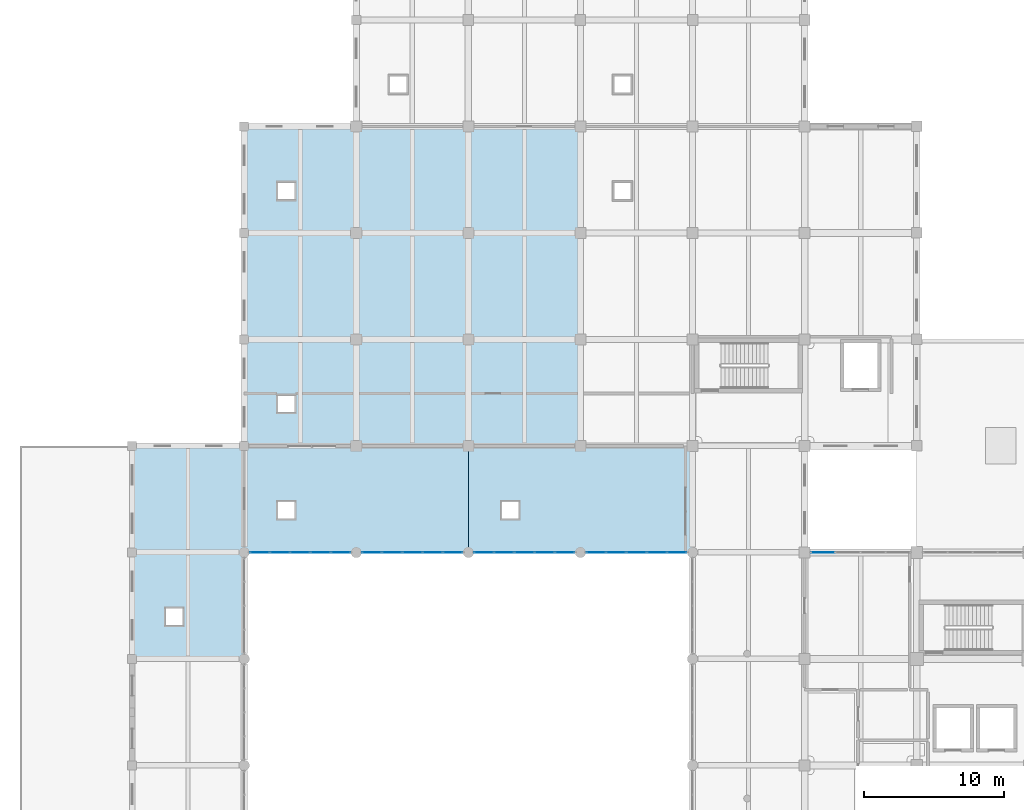
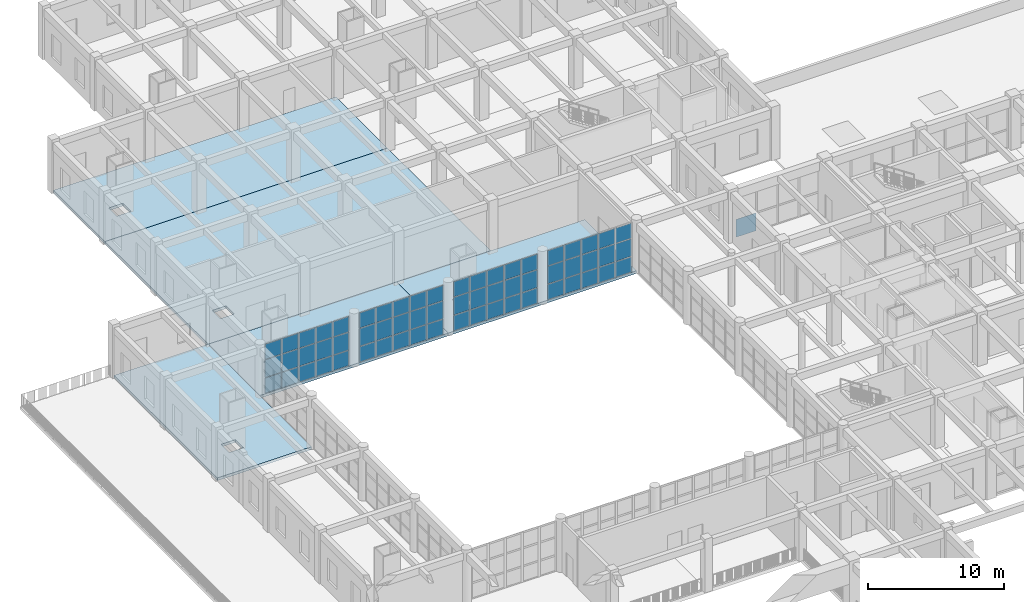
# One storey, part 66 of 101: 61 plates, 5 slabs, 5 elements without a shape of their own.
"""IFC4 building model written with IfcOpenShell, lengths in metres."""

from ifc_helpers import new_model, si_unit, direction, frame, origin, origin_2d, place, context, subcontext, project, spatial, polyline, rectangle, outline, extrude, material, layer, layer_set, type_object, element, aggregate, save


model = new_model("IFC4")

# Units and contexts
model_context = context("Model", 3, precision=1e-05, world=origin(), true_north=direction((0.0, 1.0)))
body_context = subcontext(model_context, "Body", "Model", "MODEL_VIEW")
ifc_project = project(units=[si_unit("LENGTHUNIT", "METRE"), si_unit("AREAUNIT", "SQUARE_METRE"), si_unit("VOLUMEUNIT", "CUBIC_METRE"), si_unit("PLANEANGLEUNIT", "RADIAN"), si_unit("MASSUNIT", "GRAM", prefix="KILO")], contexts=[model_context])

# Site, building, storey
site_placement = place(None, origin())
site = spatial("IfcSite", under=ifc_project, at=site_placement, CompositionType="ELEMENT")
building_placement = place(site_placement, origin())
building = spatial("IfcBuilding", under=site, at=building_placement, Name="Zantavel Square City Hall", CompositionType="ELEMENT")
storey_placement = place(building_placement, frame((0.0, 0.0, 5.39990234375)))
storey = spatial("IfcBuildingStorey", under=building, at=storey_placement, Name="L02", CompositionType="ELEMENT", Elevation=5.39990234375)

# Curtain wall, plates
ifc_material_1 = material(Name="Anodised aluminium 6063-T6", Category="aluminium")
curtain_wall_type_1 = type_object("IfcCurtainWallType", Name="Curtain Wall CRT 7250x4520", PredefinedType="USERDEFINED", material=ifc_material_1)
curtain_wall_1_placement = place(storey_placement, origin())
curtain_wall_1 = element("IfcCurtainWall", 1, at=curtain_wall_1_placement, inside=storey, type_object=curtain_wall_type_1, Name="L02 Glazed Curtain Wall CW-L02-067", ObjectType="GLAZED CURTAIN WALL", PredefinedType="USERDEFINED")
ifc_material_2 = material(Name="Tempered safety glass low-E double glazing", Category="glass")
ifc_layer_1 = layer(ifc_material_2, 0.028076171875, Name="Tempered safety glass low-E double glazing")
ifc_layer_set_1 = layer_set([ifc_layer_1], Name="Tempered safety glass low-E double glazing")
plate_type_1 = type_object("IfcPlateType", Name="Low-E Curtain Glazing Panel 1450x1507x28", PredefinedType="CURTAIN_PANEL", material=ifc_layer_set_1)
plate_1_placement = place(storey_placement, frame((30.885009765625, 68.39990234375, 0.06005859375), z_axis=(0.0, 0.0, 1.0), x_axis=(-1.0, 0.0, 0.0)))
plate_1 = element("IfcPlate", 2, at=plate_1_placement, type_object=plate_type_1, Name="CW-067 panel 1.1", PredefinedType="CURTAIN_PANEL", context=body_context, shape_type="SweptSolid", body=[
    extrude(rectangle(XDim=1.360107421875, YDim=0.028076171875, at=origin_2d()), origin(), (0.0, 0.0, 1.0), 1.35595703125),
])
plate_2_placement = place(storey_placement, frame((30.885009765625, 68.39990234375, 1.47607421875), z_axis=(0.0, 0.0, 1.0), x_axis=(-1.0, 0.0, 0.0)))
plate_2 = element("IfcPlate", 3, at=plate_2_placement, type_object=plate_type_1, Name="CW-067 panel 1.2", PredefinedType="CURTAIN_PANEL", context=body_context, shape_type="SweptSolid", body=[
    extrude(rectangle(XDim=1.360107421875, YDim=0.028076171875, at=origin_2d()), origin(), (0.0, 0.0, 1.0), 1.568115234375),
])
plate_3_placement = place(storey_placement, frame((30.885009765625, 68.39990234375, 3.10400390625), z_axis=(0.0, 0.0, 1.0), x_axis=(-1.0, 0.0, 0.0)))
plate_3 = element("IfcPlate", 4, at=plate_3_placement, type_object=plate_type_1, Name="CW-067 panel 1.3", PredefinedType="CURTAIN_PANEL", context=body_context, shape_type="SweptSolid", body=[
    extrude(rectangle(XDim=1.360107421875, YDim=0.028076171875, at=origin_2d()), origin(), (0.0, 0.0, 1.0), 1.35595703125),
])
plate_4_placement = place(storey_placement, frame((29.449951171875, 68.39990234375, 0.06005859375), z_axis=(0.0, 0.0, 1.0), x_axis=(-1.0, 0.0, 0.0)))
plate_4 = element("IfcPlate", 5, at=plate_4_placement, type_object=plate_type_1, Name="CW-067 panel 2.1", PredefinedType="CURTAIN_PANEL", context=body_context, shape_type="SweptSolid", body=[
    extrude(rectangle(XDim=1.389892578125, YDim=0.028076171875, at=origin_2d()), origin(), (0.0, 0.0, 1.0), 1.35595703125),
])
plate_5_placement = place(storey_placement, frame((29.449951171875, 68.39990234375, 1.47607421875), z_axis=(0.0, 0.0, 1.0), x_axis=(-1.0, 0.0, 0.0)))
plate_5 = element("IfcPlate", 6, at=plate_5_placement, type_object=plate_type_1, Name="CW-067 panel 2.2", PredefinedType="CURTAIN_PANEL", context=body_context, shape_type="SweptSolid", body=[
    extrude(rectangle(XDim=1.389892578125, YDim=0.028076171875, at=origin_2d()), origin(), (0.0, 0.0, 1.0), 1.568115234375),
])
plate_6_placement = place(storey_placement, frame((29.449951171875, 68.39990234375, 3.10400390625), z_axis=(0.0, 0.0, 1.0), x_axis=(-1.0, 0.0, 0.0)))
plate_6 = element("IfcPlate", 7, at=plate_6_placement, type_object=plate_type_1, Name="CW-067 panel 2.3", PredefinedType="CURTAIN_PANEL", context=body_context, shape_type="SweptSolid", body=[
    extrude(rectangle(XDim=1.389892578125, YDim=0.028076171875, at=origin_2d()), origin(), (0.0, 0.0, 1.0), 1.35595703125),
])
plate_7_placement = place(storey_placement, frame((28.0, 68.39990234375, 0.06005859375), z_axis=(0.0, 0.0, 1.0), x_axis=(-1.0, 0.0, 0.0)))
plate_7 = element("IfcPlate", 8, at=plate_7_placement, type_object=plate_type_1, Name="CW-067 panel 3.1", PredefinedType="CURTAIN_PANEL", context=body_context, shape_type="SweptSolid", body=[
    extrude(rectangle(XDim=1.389892578125, YDim=0.028076171875, at=origin_2d()), origin(), (0.0, 0.0, 1.0), 1.35595703125),
])
plate_8_placement = place(storey_placement, frame((28.0, 68.39990234375, 1.47607421875), z_axis=(0.0, 0.0, 1.0), x_axis=(-1.0, 0.0, 0.0)))
plate_8 = element("IfcPlate", 9, at=plate_8_placement, type_object=plate_type_1, Name="CW-067 panel 3.2", PredefinedType="CURTAIN_PANEL", context=body_context, shape_type="SweptSolid", body=[
    extrude(rectangle(XDim=1.389892578125, YDim=0.028076171875, at=origin_2d()), origin(), (0.0, 0.0, 1.0), 1.568115234375),
])
plate_9_placement = place(storey_placement, frame((28.0, 68.39990234375, 3.10400390625), z_axis=(0.0, 0.0, 1.0), x_axis=(-1.0, 0.0, 0.0)))
plate_9 = element("IfcPlate", 10, at=plate_9_placement, type_object=plate_type_1, Name="CW-067 panel 3.3", PredefinedType="CURTAIN_PANEL", context=body_context, shape_type="SweptSolid", body=[
    extrude(rectangle(XDim=1.389892578125, YDim=0.028076171875, at=origin_2d()), origin(), (0.0, 0.0, 1.0), 1.35595703125),
])
plate_10_placement = place(storey_placement, frame((26.550048828125, 68.39990234375, 0.06005859375), z_axis=(0.0, 0.0, 1.0), x_axis=(-1.0, 0.0, 0.0)))
plate_10 = element("IfcPlate", 11, at=plate_10_placement, type_object=plate_type_1, Name="CW-067 panel 4.1", PredefinedType="CURTAIN_PANEL", context=body_context, shape_type="SweptSolid", body=[
    extrude(rectangle(XDim=1.389892578125, YDim=0.028076171875, at=origin_2d()), origin(), (0.0, 0.0, 1.0), 1.35595703125),
])
plate_11_placement = place(storey_placement, frame((26.550048828125, 68.39990234375, 1.47607421875), z_axis=(0.0, 0.0, 1.0), x_axis=(-1.0, 0.0, 0.0)))
plate_11 = element("IfcPlate", 12, at=plate_11_placement, type_object=plate_type_1, Name="CW-067 panel 4.2", PredefinedType="CURTAIN_PANEL", context=body_context, shape_type="SweptSolid", body=[
    extrude(rectangle(XDim=1.389892578125, YDim=0.028076171875, at=origin_2d()), origin(), (0.0, 0.0, 1.0), 1.568115234375),
])
plate_12_placement = place(storey_placement, frame((26.550048828125, 68.39990234375, 3.10400390625), z_axis=(0.0, 0.0, 1.0), x_axis=(-1.0, 0.0, 0.0)))
plate_12 = element("IfcPlate", 13, at=plate_12_placement, type_object=plate_type_1, Name="CW-067 panel 4.3", PredefinedType="CURTAIN_PANEL", context=body_context, shape_type="SweptSolid", body=[
    extrude(rectangle(XDim=1.389892578125, YDim=0.028076171875, at=origin_2d()), origin(), (0.0, 0.0, 1.0), 1.35595703125),
])
plate_13_placement = place(storey_placement, frame((25.114990234375, 68.39990234375, 0.06005859375), z_axis=(0.0, 0.0, 1.0), x_axis=(-1.0, 0.0, 0.0)))
plate_13 = element("IfcPlate", 14, at=plate_13_placement, type_object=plate_type_1, Name="CW-067 panel 5.1", PredefinedType="CURTAIN_PANEL", context=body_context, shape_type="SweptSolid", body=[
    extrude(rectangle(XDim=1.360107421875, YDim=0.028076171875, at=origin_2d()), origin(), (0.0, 0.0, 1.0), 1.35595703125),
])
plate_14_placement = place(storey_placement, frame((25.114990234375, 68.39990234375, 1.47607421875), z_axis=(0.0, 0.0, 1.0), x_axis=(-1.0, 0.0, 0.0)))
plate_14 = element("IfcPlate", 15, at=plate_14_placement, type_object=plate_type_1, Name="CW-067 panel 5.2", PredefinedType="CURTAIN_PANEL", context=body_context, shape_type="SweptSolid", body=[
    extrude(rectangle(XDim=1.360107421875, YDim=0.028076171875, at=origin_2d()), origin(), (0.0, 0.0, 1.0), 1.568115234375),
])
plate_15_placement = place(storey_placement, frame((25.114990234375, 68.39990234375, 3.10400390625), z_axis=(0.0, 0.0, 1.0), x_axis=(-1.0, 0.0, 0.0)))
plate_15 = element("IfcPlate", 16, at=plate_15_placement, type_object=plate_type_1, Name="CW-067 panel 5.3", PredefinedType="CURTAIN_PANEL", context=body_context, shape_type="SweptSolid", body=[
    extrude(rectangle(XDim=1.360107421875, YDim=0.028076171875, at=origin_2d()), origin(), (0.0, 0.0, 1.0), 1.35595703125),
])
aggregate(curtain_wall_1, [plate_1, plate_2, plate_3, plate_4, plate_5, plate_6, plate_7, plate_8, plate_9, plate_10, plate_11, plate_12, plate_13, plate_14, plate_15])

curtain_wall_2_placement = place(storey_placement, origin())
curtain_wall_2 = element("IfcCurtainWall", 17, at=curtain_wall_2_placement, inside=storey, type_object=curtain_wall_type_1, Name="L02 Glazed Curtain Wall CW-L02-068", ObjectType="GLAZED CURTAIN WALL", PredefinedType="USERDEFINED")
plate_16_placement = place(storey_placement, frame((22.885009765625, 68.39990234375, 0.06005859375), z_axis=(0.0, 0.0, 1.0), x_axis=(-1.0, 0.0, 0.0)))
plate_16 = element("IfcPlate", 18, at=plate_16_placement, type_object=plate_type_1, Name="CW-068 panel 1.1", PredefinedType="CURTAIN_PANEL", context=body_context, shape_type="SweptSolid", body=[
    extrude(rectangle(XDim=1.360107421875, YDim=0.028076171875, at=origin_2d()), origin(), (0.0, 0.0, 1.0), 1.35595703125),
])
plate_17_placement = place(storey_placement, frame((22.885009765625, 68.39990234375, 1.47607421875), z_axis=(0.0, 0.0, 1.0), x_axis=(-1.0, 0.0, 0.0)))
plate_17 = element("IfcPlate", 19, at=plate_17_placement, type_object=plate_type_1, Name="CW-068 panel 1.2", PredefinedType="CURTAIN_PANEL", context=body_context, shape_type="SweptSolid", body=[
    extrude(rectangle(XDim=1.360107421875, YDim=0.028076171875, at=origin_2d()), origin(), (0.0, 0.0, 1.0), 1.568115234375),
])
plate_18_placement = place(storey_placement, frame((22.885009765625, 68.39990234375, 3.10400390625), z_axis=(0.0, 0.0, 1.0), x_axis=(-1.0, 0.0, 0.0)))
plate_18 = element("IfcPlate", 20, at=plate_18_placement, type_object=plate_type_1, Name="CW-068 panel 1.3", PredefinedType="CURTAIN_PANEL", context=body_context, shape_type="SweptSolid", body=[
    extrude(rectangle(XDim=1.360107421875, YDim=0.028076171875, at=origin_2d()), origin(), (0.0, 0.0, 1.0), 1.35595703125),
])
plate_19_placement = place(storey_placement, frame((21.449951171875, 68.39990234375, 0.06005859375), z_axis=(0.0, 0.0, 1.0), x_axis=(-1.0, 0.0, 0.0)))
plate_19 = element("IfcPlate", 21, at=plate_19_placement, type_object=plate_type_1, Name="CW-068 panel 2.1", PredefinedType="CURTAIN_PANEL", context=body_context, shape_type="SweptSolid", body=[
    extrude(rectangle(XDim=1.389892578125, YDim=0.028076171875, at=origin_2d()), origin(), (0.0, 0.0, 1.0), 1.35595703125),
])
plate_20_placement = place(storey_placement, frame((21.449951171875, 68.39990234375, 1.47607421875), z_axis=(0.0, 0.0, 1.0), x_axis=(-1.0, 0.0, 0.0)))
plate_20 = element("IfcPlate", 22, at=plate_20_placement, type_object=plate_type_1, Name="CW-068 panel 2.2", PredefinedType="CURTAIN_PANEL", context=body_context, shape_type="SweptSolid", body=[
    extrude(rectangle(XDim=1.389892578125, YDim=0.028076171875, at=origin_2d()), origin(), (0.0, 0.0, 1.0), 1.568115234375),
])
plate_21_placement = place(storey_placement, frame((21.449951171875, 68.39990234375, 3.10400390625), z_axis=(0.0, 0.0, 1.0), x_axis=(-1.0, 0.0, 0.0)))
plate_21 = element("IfcPlate", 23, at=plate_21_placement, type_object=plate_type_1, Name="CW-068 panel 2.3", PredefinedType="CURTAIN_PANEL", context=body_context, shape_type="SweptSolid", body=[
    extrude(rectangle(XDim=1.389892578125, YDim=0.028076171875, at=origin_2d()), origin(), (0.0, 0.0, 1.0), 1.35595703125),
])
plate_22_placement = place(storey_placement, frame((20.0, 68.39990234375, 0.06005859375), z_axis=(0.0, 0.0, 1.0), x_axis=(-1.0, 0.0, 0.0)))
plate_22 = element("IfcPlate", 24, at=plate_22_placement, type_object=plate_type_1, Name="CW-068 panel 3.1", PredefinedType="CURTAIN_PANEL", context=body_context, shape_type="SweptSolid", body=[
    extrude(rectangle(XDim=1.389892578125, YDim=0.028076171875, at=origin_2d()), origin(), (0.0, 0.0, 1.0), 1.35595703125),
])
plate_23_placement = place(storey_placement, frame((20.0, 68.39990234375, 1.47607421875), z_axis=(0.0, 0.0, 1.0), x_axis=(-1.0, 0.0, 0.0)))
plate_23 = element("IfcPlate", 25, at=plate_23_placement, type_object=plate_type_1, Name="CW-068 panel 3.2", PredefinedType="CURTAIN_PANEL", context=body_context, shape_type="SweptSolid", body=[
    extrude(rectangle(XDim=1.389892578125, YDim=0.028076171875, at=origin_2d()), origin(), (0.0, 0.0, 1.0), 1.568115234375),
])
plate_24_placement = place(storey_placement, frame((20.0, 68.39990234375, 3.10400390625), z_axis=(0.0, 0.0, 1.0), x_axis=(-1.0, 0.0, 0.0)))
plate_24 = element("IfcPlate", 26, at=plate_24_placement, type_object=plate_type_1, Name="CW-068 panel 3.3", PredefinedType="CURTAIN_PANEL", context=body_context, shape_type="SweptSolid", body=[
    extrude(rectangle(XDim=1.389892578125, YDim=0.028076171875, at=origin_2d()), origin(), (0.0, 0.0, 1.0), 1.35595703125),
])
plate_25_placement = place(storey_placement, frame((18.550048828125, 68.39990234375, 0.06005859375), z_axis=(0.0, 0.0, 1.0), x_axis=(-1.0, 0.0, 0.0)))
plate_25 = element("IfcPlate", 27, at=plate_25_placement, type_object=plate_type_1, Name="CW-068 panel 4.1", PredefinedType="CURTAIN_PANEL", context=body_context, shape_type="SweptSolid", body=[
    extrude(rectangle(XDim=1.389892578125, YDim=0.028076171875, at=origin_2d()), origin(), (0.0, 0.0, 1.0), 1.35595703125),
])
plate_26_placement = place(storey_placement, frame((18.550048828125, 68.39990234375, 1.47607421875), z_axis=(0.0, 0.0, 1.0), x_axis=(-1.0, 0.0, 0.0)))
plate_26 = element("IfcPlate", 28, at=plate_26_placement, type_object=plate_type_1, Name="CW-068 panel 4.2", PredefinedType="CURTAIN_PANEL", context=body_context, shape_type="SweptSolid", body=[
    extrude(rectangle(XDim=1.389892578125, YDim=0.028076171875, at=origin_2d()), origin(), (0.0, 0.0, 1.0), 1.568115234375),
])
plate_27_placement = place(storey_placement, frame((18.550048828125, 68.39990234375, 3.10400390625), z_axis=(0.0, 0.0, 1.0), x_axis=(-1.0, 0.0, 0.0)))
plate_27 = element("IfcPlate", 29, at=plate_27_placement, type_object=plate_type_1, Name="CW-068 panel 4.3", PredefinedType="CURTAIN_PANEL", context=body_context, shape_type="SweptSolid", body=[
    extrude(rectangle(XDim=1.389892578125, YDim=0.028076171875, at=origin_2d()), origin(), (0.0, 0.0, 1.0), 1.35595703125),
])
plate_28_placement = place(storey_placement, frame((17.114990234375, 68.39990234375, 0.06005859375), z_axis=(0.0, 0.0, 1.0), x_axis=(-1.0, 0.0, 0.0)))
plate_28 = element("IfcPlate", 30, at=plate_28_placement, type_object=plate_type_1, Name="CW-068 panel 5.1", PredefinedType="CURTAIN_PANEL", context=body_context, shape_type="SweptSolid", body=[
    extrude(rectangle(XDim=1.360107421875, YDim=0.028076171875, at=origin_2d()), origin(), (0.0, 0.0, 1.0), 1.35595703125),
])
plate_29_placement = place(storey_placement, frame((17.114990234375, 68.39990234375, 1.47607421875), z_axis=(0.0, 0.0, 1.0), x_axis=(-1.0, 0.0, 0.0)))
plate_29 = element("IfcPlate", 31, at=plate_29_placement, type_object=plate_type_1, Name="CW-068 panel 5.2", PredefinedType="CURTAIN_PANEL", context=body_context, shape_type="SweptSolid", body=[
    extrude(rectangle(XDim=1.360107421875, YDim=0.028076171875, at=origin_2d()), origin(), (0.0, 0.0, 1.0), 1.568115234375),
])
plate_30_placement = place(storey_placement, frame((17.114990234375, 68.39990234375, 3.10400390625), z_axis=(0.0, 0.0, 1.0), x_axis=(-1.0, 0.0, 0.0)))
plate_30 = element("IfcPlate", 32, at=plate_30_placement, type_object=plate_type_1, Name="CW-068 panel 5.3", PredefinedType="CURTAIN_PANEL", context=body_context, shape_type="SweptSolid", body=[
    extrude(rectangle(XDim=1.360107421875, YDim=0.028076171875, at=origin_2d()), origin(), (0.0, 0.0, 1.0), 1.35595703125),
])
aggregate(curtain_wall_2, [plate_16, plate_17, plate_18, plate_19, plate_20, plate_21, plate_22, plate_23, plate_24, plate_25, plate_26, plate_27, plate_28, plate_29, plate_30])

curtain_wall_3_placement = place(storey_placement, origin())
curtain_wall_3 = element("IfcCurtainWall", 33, at=curtain_wall_3_placement, inside=storey, type_object=curtain_wall_type_1, Name="L02 Glazed Curtain Wall CW-L02-081", ObjectType="GLAZED CURTAIN WALL", PredefinedType="USERDEFINED")
plate_31_placement = place(storey_placement, frame((46.885009765625, 68.39990234375, 0.06005859375), z_axis=(0.0, 0.0, 1.0), x_axis=(-1.0, 0.0, 0.0)))
plate_31 = element("IfcPlate", 34, at=plate_31_placement, type_object=plate_type_1, Name="CW-081 panel 1.1", PredefinedType="CURTAIN_PANEL", context=body_context, shape_type="SweptSolid", body=[
    extrude(rectangle(XDim=1.360107421875, YDim=0.028076171875, at=origin_2d()), origin(), (0.0, 0.0, 1.0), 1.35595703125),
])
plate_32_placement = place(storey_placement, frame((46.885009765625, 68.39990234375, 1.47607421875), z_axis=(0.0, 0.0, 1.0), x_axis=(-1.0, 0.0, 0.0)))
plate_32 = element("IfcPlate", 35, at=plate_32_placement, type_object=plate_type_1, Name="CW-081 panel 1.2", PredefinedType="CURTAIN_PANEL", context=body_context, shape_type="SweptSolid", body=[
    extrude(rectangle(XDim=1.360107421875, YDim=0.028076171875, at=origin_2d()), origin(), (0.0, 0.0, 1.0), 1.568115234375),
])
plate_33_placement = place(storey_placement, frame((46.885009765625, 68.39990234375, 3.10400390625), z_axis=(0.0, 0.0, 1.0), x_axis=(-1.0, 0.0, 0.0)))
plate_33 = element("IfcPlate", 36, at=plate_33_placement, type_object=plate_type_1, Name="CW-081 panel 1.3", PredefinedType="CURTAIN_PANEL", context=body_context, shape_type="SweptSolid", body=[
    extrude(rectangle(XDim=1.360107421875, YDim=0.028076171875, at=origin_2d()), origin(), (0.0, 0.0, 1.0), 1.35595703125),
])
plate_34_placement = place(storey_placement, frame((45.449951171875, 68.39990234375, 0.06005859375), z_axis=(0.0, 0.0, 1.0), x_axis=(-1.0, 0.0, 0.0)))
plate_34 = element("IfcPlate", 37, at=plate_34_placement, type_object=plate_type_1, Name="CW-081 panel 2.1", PredefinedType="CURTAIN_PANEL", context=body_context, shape_type="SweptSolid", body=[
    extrude(rectangle(XDim=1.389892578125, YDim=0.028076171875, at=origin_2d()), origin(), (0.0, 0.0, 1.0), 1.35595703125),
])
plate_35_placement = place(storey_placement, frame((45.449951171875, 68.39990234375, 1.47607421875), z_axis=(0.0, 0.0, 1.0), x_axis=(-1.0, 0.0, 0.0)))
plate_35 = element("IfcPlate", 38, at=plate_35_placement, type_object=plate_type_1, Name="CW-081 panel 2.2", PredefinedType="CURTAIN_PANEL", context=body_context, shape_type="SweptSolid", body=[
    extrude(rectangle(XDim=1.389892578125, YDim=0.028076171875, at=origin_2d()), origin(), (0.0, 0.0, 1.0), 1.568115234375),
])
plate_36_placement = place(storey_placement, frame((45.449951171875, 68.39990234375, 3.10400390625), z_axis=(0.0, 0.0, 1.0), x_axis=(-1.0, 0.0, 0.0)))
plate_36 = element("IfcPlate", 39, at=plate_36_placement, type_object=plate_type_1, Name="CW-081 panel 2.3", PredefinedType="CURTAIN_PANEL", context=body_context, shape_type="SweptSolid", body=[
    extrude(rectangle(XDim=1.389892578125, YDim=0.028076171875, at=origin_2d()), origin(), (0.0, 0.0, 1.0), 1.35595703125),
])
plate_37_placement = place(storey_placement, frame((44.0, 68.39990234375, 0.06005859375), z_axis=(0.0, 0.0, 1.0), x_axis=(-1.0, 0.0, 0.0)))
plate_37 = element("IfcPlate", 40, at=plate_37_placement, type_object=plate_type_1, Name="CW-081 panel 3.1", PredefinedType="CURTAIN_PANEL", context=body_context, shape_type="SweptSolid", body=[
    extrude(rectangle(XDim=1.389892578125, YDim=0.028076171875, at=origin_2d()), origin(), (0.0, 0.0, 1.0), 1.35595703125),
])
plate_38_placement = place(storey_placement, frame((44.0, 68.39990234375, 1.47607421875), z_axis=(0.0, 0.0, 1.0), x_axis=(-1.0, 0.0, 0.0)))
plate_38 = element("IfcPlate", 41, at=plate_38_placement, type_object=plate_type_1, Name="CW-081 panel 3.2", PredefinedType="CURTAIN_PANEL", context=body_context, shape_type="SweptSolid", body=[
    extrude(rectangle(XDim=1.389892578125, YDim=0.028076171875, at=origin_2d()), origin(), (0.0, 0.0, 1.0), 1.568115234375),
])
plate_39_placement = place(storey_placement, frame((44.0, 68.39990234375, 3.10400390625), z_axis=(0.0, 0.0, 1.0), x_axis=(-1.0, 0.0, 0.0)))
plate_39 = element("IfcPlate", 42, at=plate_39_placement, type_object=plate_type_1, Name="CW-081 panel 3.3", PredefinedType="CURTAIN_PANEL", context=body_context, shape_type="SweptSolid", body=[
    extrude(rectangle(XDim=1.389892578125, YDim=0.028076171875, at=origin_2d()), origin(), (0.0, 0.0, 1.0), 1.35595703125),
])
plate_40_placement = place(storey_placement, frame((42.550048828125, 68.39990234375, 0.06005859375), z_axis=(0.0, 0.0, 1.0), x_axis=(-1.0, 0.0, 0.0)))
plate_40 = element("IfcPlate", 43, at=plate_40_placement, type_object=plate_type_1, Name="CW-081 panel 4.1", PredefinedType="CURTAIN_PANEL", context=body_context, shape_type="SweptSolid", body=[
    extrude(rectangle(XDim=1.389892578125, YDim=0.028076171875, at=origin_2d()), origin(), (0.0, 0.0, 1.0), 1.35595703125),
])
plate_41_placement = place(storey_placement, frame((42.550048828125, 68.39990234375, 1.47607421875), z_axis=(0.0, 0.0, 1.0), x_axis=(-1.0, 0.0, 0.0)))
plate_41 = element("IfcPlate", 44, at=plate_41_placement, type_object=plate_type_1, Name="CW-081 panel 4.2", PredefinedType="CURTAIN_PANEL", context=body_context, shape_type="SweptSolid", body=[
    extrude(rectangle(XDim=1.389892578125, YDim=0.028076171875, at=origin_2d()), origin(), (0.0, 0.0, 1.0), 1.568115234375),
])
plate_42_placement = place(storey_placement, frame((42.550048828125, 68.39990234375, 3.10400390625), z_axis=(0.0, 0.0, 1.0), x_axis=(-1.0, 0.0, 0.0)))
plate_42 = element("IfcPlate", 45, at=plate_42_placement, type_object=plate_type_1, Name="CW-081 panel 4.3", PredefinedType="CURTAIN_PANEL", context=body_context, shape_type="SweptSolid", body=[
    extrude(rectangle(XDim=1.389892578125, YDim=0.028076171875, at=origin_2d()), origin(), (0.0, 0.0, 1.0), 1.35595703125),
])
plate_43_placement = place(storey_placement, frame((41.114990234375, 68.39990234375, 0.06005859375), z_axis=(0.0, 0.0, 1.0), x_axis=(-1.0, 0.0, 0.0)))
plate_43 = element("IfcPlate", 46, at=plate_43_placement, type_object=plate_type_1, Name="CW-081 panel 5.1", PredefinedType="CURTAIN_PANEL", context=body_context, shape_type="SweptSolid", body=[
    extrude(rectangle(XDim=1.360107421875, YDim=0.028076171875, at=origin_2d()), origin(), (0.0, 0.0, 1.0), 1.35595703125),
])
plate_44_placement = place(storey_placement, frame((41.114990234375, 68.39990234375, 1.47607421875), z_axis=(0.0, 0.0, 1.0), x_axis=(-1.0, 0.0, 0.0)))
plate_44 = element("IfcPlate", 47, at=plate_44_placement, type_object=plate_type_1, Name="CW-081 panel 5.2", PredefinedType="CURTAIN_PANEL", context=body_context, shape_type="SweptSolid", body=[
    extrude(rectangle(XDim=1.360107421875, YDim=0.028076171875, at=origin_2d()), origin(), (0.0, 0.0, 1.0), 1.568115234375),
])
plate_45_placement = place(storey_placement, frame((41.114990234375, 68.39990234375, 3.10400390625), z_axis=(0.0, 0.0, 1.0), x_axis=(-1.0, 0.0, 0.0)))
plate_45 = element("IfcPlate", 48, at=plate_45_placement, type_object=plate_type_1, Name="CW-081 panel 5.3", PredefinedType="CURTAIN_PANEL", context=body_context, shape_type="SweptSolid", body=[
    extrude(rectangle(XDim=1.360107421875, YDim=0.028076171875, at=origin_2d()), origin(), (0.0, 0.0, 1.0), 1.35595703125),
])
aggregate(curtain_wall_3, [plate_31, plate_32, plate_33, plate_34, plate_35, plate_36, plate_37, plate_38, plate_39, plate_40, plate_41, plate_42, plate_43, plate_44, plate_45])

curtain_wall_4_placement = place(storey_placement, origin())
curtain_wall_4 = element("IfcCurtainWall", 49, at=curtain_wall_4_placement, inside=storey, type_object=curtain_wall_type_1, Name="L02 Glazed Curtain Wall CW-L02-082", ObjectType="GLAZED CURTAIN WALL", PredefinedType="USERDEFINED")
plate_46_placement = place(storey_placement, frame((38.885009765625, 68.39990234375, 0.06005859375), z_axis=(0.0, 0.0, 1.0), x_axis=(-1.0, 0.0, 0.0)))
plate_46 = element("IfcPlate", 50, at=plate_46_placement, type_object=plate_type_1, Name="CW-082 panel 1.1", PredefinedType="CURTAIN_PANEL", context=body_context, shape_type="SweptSolid", body=[
    extrude(rectangle(XDim=1.360107421875, YDim=0.028076171875, at=origin_2d()), origin(), (0.0, 0.0, 1.0), 1.35595703125),
])
plate_47_placement = place(storey_placement, frame((38.885009765625, 68.39990234375, 1.47607421875), z_axis=(0.0, 0.0, 1.0), x_axis=(-1.0, 0.0, 0.0)))
plate_47 = element("IfcPlate", 51, at=plate_47_placement, type_object=plate_type_1, Name="CW-082 panel 1.2", PredefinedType="CURTAIN_PANEL", context=body_context, shape_type="SweptSolid", body=[
    extrude(rectangle(XDim=1.360107421875, YDim=0.028076171875, at=origin_2d()), origin(), (0.0, 0.0, 1.0), 1.568115234375),
])
plate_48_placement = place(storey_placement, frame((38.885009765625, 68.39990234375, 3.10400390625), z_axis=(0.0, 0.0, 1.0), x_axis=(-1.0, 0.0, 0.0)))
plate_48 = element("IfcPlate", 52, at=plate_48_placement, type_object=plate_type_1, Name="CW-082 panel 1.3", PredefinedType="CURTAIN_PANEL", context=body_context, shape_type="SweptSolid", body=[
    extrude(rectangle(XDim=1.360107421875, YDim=0.028076171875, at=origin_2d()), origin(), (0.0, 0.0, 1.0), 1.35595703125),
])
plate_49_placement = place(storey_placement, frame((37.449951171875, 68.39990234375, 0.06005859375), z_axis=(0.0, 0.0, 1.0), x_axis=(-1.0, 0.0, 0.0)))
plate_49 = element("IfcPlate", 53, at=plate_49_placement, type_object=plate_type_1, Name="CW-082 panel 2.1", PredefinedType="CURTAIN_PANEL", context=body_context, shape_type="SweptSolid", body=[
    extrude(rectangle(XDim=1.389892578125, YDim=0.028076171875, at=origin_2d()), origin(), (0.0, 0.0, 1.0), 1.35595703125),
])
plate_50_placement = place(storey_placement, frame((37.449951171875, 68.39990234375, 1.47607421875), z_axis=(0.0, 0.0, 1.0), x_axis=(-1.0, 0.0, 0.0)))
plate_50 = element("IfcPlate", 54, at=plate_50_placement, type_object=plate_type_1, Name="CW-082 panel 2.2", PredefinedType="CURTAIN_PANEL", context=body_context, shape_type="SweptSolid", body=[
    extrude(rectangle(XDim=1.389892578125, YDim=0.028076171875, at=origin_2d()), origin(), (0.0, 0.0, 1.0), 1.568115234375),
])
plate_51_placement = place(storey_placement, frame((37.449951171875, 68.39990234375, 3.10400390625), z_axis=(0.0, 0.0, 1.0), x_axis=(-1.0, 0.0, 0.0)))
plate_51 = element("IfcPlate", 55, at=plate_51_placement, type_object=plate_type_1, Name="CW-082 panel 2.3", PredefinedType="CURTAIN_PANEL", context=body_context, shape_type="SweptSolid", body=[
    extrude(rectangle(XDim=1.389892578125, YDim=0.028076171875, at=origin_2d()), origin(), (0.0, 0.0, 1.0), 1.35595703125),
])
plate_52_placement = place(storey_placement, frame((36.0, 68.39990234375, 0.06005859375), z_axis=(0.0, 0.0, 1.0), x_axis=(-1.0, 0.0, 0.0)))
plate_52 = element("IfcPlate", 56, at=plate_52_placement, type_object=plate_type_1, Name="CW-082 panel 3.1", PredefinedType="CURTAIN_PANEL", context=body_context, shape_type="SweptSolid", body=[
    extrude(rectangle(XDim=1.389892578125, YDim=0.028076171875, at=origin_2d()), origin(), (0.0, 0.0, 1.0), 1.35595703125),
])
plate_53_placement = place(storey_placement, frame((36.0, 68.39990234375, 1.47607421875), z_axis=(0.0, 0.0, 1.0), x_axis=(-1.0, 0.0, 0.0)))
plate_53 = element("IfcPlate", 57, at=plate_53_placement, type_object=plate_type_1, Name="CW-082 panel 3.2", PredefinedType="CURTAIN_PANEL", context=body_context, shape_type="SweptSolid", body=[
    extrude(rectangle(XDim=1.389892578125, YDim=0.028076171875, at=origin_2d()), origin(), (0.0, 0.0, 1.0), 1.568115234375),
])
plate_54_placement = place(storey_placement, frame((36.0, 68.39990234375, 3.10400390625), z_axis=(0.0, 0.0, 1.0), x_axis=(-1.0, 0.0, 0.0)))
plate_54 = element("IfcPlate", 58, at=plate_54_placement, type_object=plate_type_1, Name="CW-082 panel 3.3", PredefinedType="CURTAIN_PANEL", context=body_context, shape_type="SweptSolid", body=[
    extrude(rectangle(XDim=1.389892578125, YDim=0.028076171875, at=origin_2d()), origin(), (0.0, 0.0, 1.0), 1.35595703125),
])
plate_55_placement = place(storey_placement, frame((34.550048828125, 68.39990234375, 0.06005859375), z_axis=(0.0, 0.0, 1.0), x_axis=(-1.0, 0.0, 0.0)))
plate_55 = element("IfcPlate", 59, at=plate_55_placement, type_object=plate_type_1, Name="CW-082 panel 4.1", PredefinedType="CURTAIN_PANEL", context=body_context, shape_type="SweptSolid", body=[
    extrude(rectangle(XDim=1.389892578125, YDim=0.028076171875, at=origin_2d()), origin(), (0.0, 0.0, 1.0), 1.35595703125),
])
plate_56_placement = place(storey_placement, frame((34.550048828125, 68.39990234375, 1.47607421875), z_axis=(0.0, 0.0, 1.0), x_axis=(-1.0, 0.0, 0.0)))
plate_56 = element("IfcPlate", 60, at=plate_56_placement, type_object=plate_type_1, Name="CW-082 panel 4.2", PredefinedType="CURTAIN_PANEL", context=body_context, shape_type="SweptSolid", body=[
    extrude(rectangle(XDim=1.389892578125, YDim=0.028076171875, at=origin_2d()), origin(), (0.0, 0.0, 1.0), 1.568115234375),
])
plate_57_placement = place(storey_placement, frame((34.550048828125, 68.39990234375, 3.10400390625), z_axis=(0.0, 0.0, 1.0), x_axis=(-1.0, 0.0, 0.0)))
plate_57 = element("IfcPlate", 61, at=plate_57_placement, type_object=plate_type_1, Name="CW-082 panel 4.3", PredefinedType="CURTAIN_PANEL", context=body_context, shape_type="SweptSolid", body=[
    extrude(rectangle(XDim=1.389892578125, YDim=0.028076171875, at=origin_2d()), origin(), (0.0, 0.0, 1.0), 1.35595703125),
])
plate_58_placement = place(storey_placement, frame((33.114990234375, 68.39990234375, 0.06005859375), z_axis=(0.0, 0.0, 1.0), x_axis=(-1.0, 0.0, 0.0)))
plate_58 = element("IfcPlate", 62, at=plate_58_placement, type_object=plate_type_1, Name="CW-082 panel 5.1", PredefinedType="CURTAIN_PANEL", context=body_context, shape_type="SweptSolid", body=[
    extrude(rectangle(XDim=1.360107421875, YDim=0.028076171875, at=origin_2d()), origin(), (0.0, 0.0, 1.0), 1.35595703125),
])
plate_59_placement = place(storey_placement, frame((33.114990234375, 68.39990234375, 1.47607421875), z_axis=(0.0, 0.0, 1.0), x_axis=(-1.0, 0.0, 0.0)))
plate_59 = element("IfcPlate", 63, at=plate_59_placement, type_object=plate_type_1, Name="CW-082 panel 5.2", PredefinedType="CURTAIN_PANEL", context=body_context, shape_type="SweptSolid", body=[
    extrude(rectangle(XDim=1.360107421875, YDim=0.028076171875, at=origin_2d()), origin(), (0.0, 0.0, 1.0), 1.568115234375),
])
plate_60_placement = place(storey_placement, frame((33.114990234375, 68.39990234375, 3.10400390625), z_axis=(0.0, 0.0, 1.0), x_axis=(-1.0, 0.0, 0.0)))
plate_60 = element("IfcPlate", 64, at=plate_60_placement, type_object=plate_type_1, Name="CW-082 panel 5.3", PredefinedType="CURTAIN_PANEL", context=body_context, shape_type="SweptSolid", body=[
    extrude(rectangle(XDim=1.360107421875, YDim=0.028076171875, at=origin_2d()), origin(), (0.0, 0.0, 1.0), 1.35595703125),
])
aggregate(curtain_wall_4, [plate_46, plate_47, plate_48, plate_49, plate_50, plate_51, plate_52, plate_53, plate_54, plate_55, plate_56, plate_57, plate_58, plate_59, plate_60])

# Curtain wall, plate
curtain_wall_type_2 = type_object("IfcCurtainWallType", Name="Curtain Wall TRV1 7175x3740", PredefinedType="USERDEFINED", material=ifc_material_1)
curtain_wall_5_placement = place(storey_placement, origin())
curtain_wall_5 = element("IfcCurtainWall", 65, at=curtain_wall_5_placement, inside=storey, type_object=curtain_wall_type_2, Name="L02 Glazed Curtain Wall CW-L02-037", ObjectType="GLAZED CURTAIN WALL", PredefinedType="USERDEFINED")
ifc_layer_2 = layer(ifc_material_2, 0.028076171875, Name="Tempered safety glass low-E double glazing")
ifc_layer_set_2 = layer_set([ifc_layer_2], Name="Tempered safety glass low-E double glazing")
plate_type_2 = type_object("IfcPlateType", Name="Low-E Curtain Glazing Panel 1794x1870x28", PredefinedType="CURTAIN_PANEL", material=ifc_layer_set_2)
plate_61_placement = place(storey_placement, frame((57.311767578125, 68.39990234375, 0.06005859375), z_axis=(0.0, 0.0, 1.0), x_axis=(1.0, 0.0, 0.0)))
plate_61 = element("IfcPlate", 66, at=plate_61_placement, type_object=plate_type_2, Name="CW-037 panel 1.1", PredefinedType="CURTAIN_PANEL", context=body_context, shape_type="SweptSolid", body=[
    extrude(rectangle(XDim=1.703857421875, YDim=0.028076171875, at=origin_2d()), origin(), (0.0, 0.0, 1.0), 1.593017578125),
])
aggregate(curtain_wall_5, [plate_61])

# Slabs
ifc_material_3 = material(Name="Concrete C35/45", Category="concrete")
ifc_layer_3 = layer(ifc_material_3, 0.239990234375, Name="Concrete C35/45")
ifc_layer_set_3 = layer_set([ifc_layer_3], Name="Concrete C35/45")
slab_type = type_object("IfcSlabType", Name="Standard Office Floor Slab 240mm C35/45", PredefinedType="FLOOR", material=ifc_layer_set_3)
slab_1_placement = place(storey_placement, frame((0.0, 0.0, -0.239990234375)))
element("IfcSlab", 67, at=slab_1_placement, inside=storey, type_object=slab_type, Name="L02 Floor Slab SLB-L02-V3W-02", PredefinedType="FLOOR", context=body_context, shape_type="SweptSolid", body=[
    extrude(outline(polyline([(16.0, 76.0), (16.0, 60.800048828125), (8.0, 60.800048828125), (8.0, 76.0), (16.0, 76.0)]), holes=[polyline([(11.60009765625, 64.39990234375), (10.39990234375, 64.39990234375), (10.39990234375, 63.199951171875), (11.60009765625, 63.199951171875), (11.60009765625, 64.39990234375)])]), origin(), (0.0, 0.0, 1.0), 0.239990234375),
])
slab_2_placement = place(storey_placement, frame((0.0, 0.0, -0.239990234375)))
element("IfcSlab", 68, at=slab_2_placement, inside=storey, type_object=slab_type, Name="L02 Floor Slab SLB-L02-V3N-01", PredefinedType="FLOOR", context=body_context, shape_type="SweptSolid", body=[
    extrude(outline(polyline([(32.0, 68.39990234375), (16.0, 68.39990234375), (16.0, 76.0), (32.0, 76.0), (32.0, 68.39990234375)]), holes=[polyline([(19.60009765625, 72.0), (18.39990234375, 72.0), (18.39990234375, 70.800048828125), (19.60009765625, 70.800048828125), (19.60009765625, 72.0)])]), origin(), (0.0, 0.0, 1.0), 0.239990234375),
])
slab_3_placement = place(storey_placement, frame((0.0, 0.0, -0.239990234375)))
element("IfcSlab", 69, at=slab_3_placement, inside=storey, type_object=slab_type, Name="L02 Floor Slab SLB-L02-V3N-02", PredefinedType="FLOOR", context=body_context, shape_type="SweptSolid", body=[
    extrude(outline(polyline([(32.0, 68.39990234375), (32.0, 76.0), (48.0, 76.0), (48.0, 68.39990234375), (32.0, 68.39990234375)]), holes=[polyline([(35.60009765625, 72.0), (34.39990234375, 72.0), (34.39990234375, 70.800048828125), (35.60009765625, 70.800048828125), (35.60009765625, 72.0)])]), origin(), (0.0, 0.0, 1.0), 0.239990234375),
])
slab_4_placement = place(storey_placement, frame((0.0, 0.0, -0.239990234375)))
element("IfcSlab", 70, at=slab_4_placement, inside=storey, type_object=slab_type, Name="L02 Floor Slab SLB-L02-V5M-01", PredefinedType="FLOOR", context=body_context, shape_type="SweptSolid", body=[
    extrude(outline(polyline([(40.0, 91.199951171875), (40.0, 76.0), (32.0, 76.0), (16.0, 76.0), (16.0, 91.199951171875), (40.0, 91.199951171875)]), holes=[polyline([(19.60009765625, 79.60009765625), (18.39990234375, 79.60009765625), (18.39990234375, 78.39990234375), (19.60009765625, 78.39990234375), (19.60009765625, 79.60009765625)])]), origin(), (0.0, 0.0, 1.0), 0.239990234375),
])
slab_5_placement = place(storey_placement, frame((0.0, 0.0, -0.239990234375)))
element("IfcSlab", 71, at=slab_5_placement, inside=storey, type_object=slab_type, Name="L02 Floor Slab SLB-L02-V5M-03", PredefinedType="FLOOR", context=body_context, shape_type="SweptSolid", body=[
    extrude(outline(polyline([(40.0, 98.800048828125), (40.0, 91.199951171875), (16.0, 91.199951171875), (16.0, 98.800048828125), (40.0, 98.800048828125)]), holes=[polyline([(19.60009765625, 94.800048828125), (18.39990234375, 94.800048828125), (18.39990234375, 93.60009765625), (19.60009765625, 93.60009765625), (19.60009765625, 94.800048828125)])]), origin(), (0.0, 0.0, 1.0), 0.239990234375),
])

save(model, "model.ifc")
